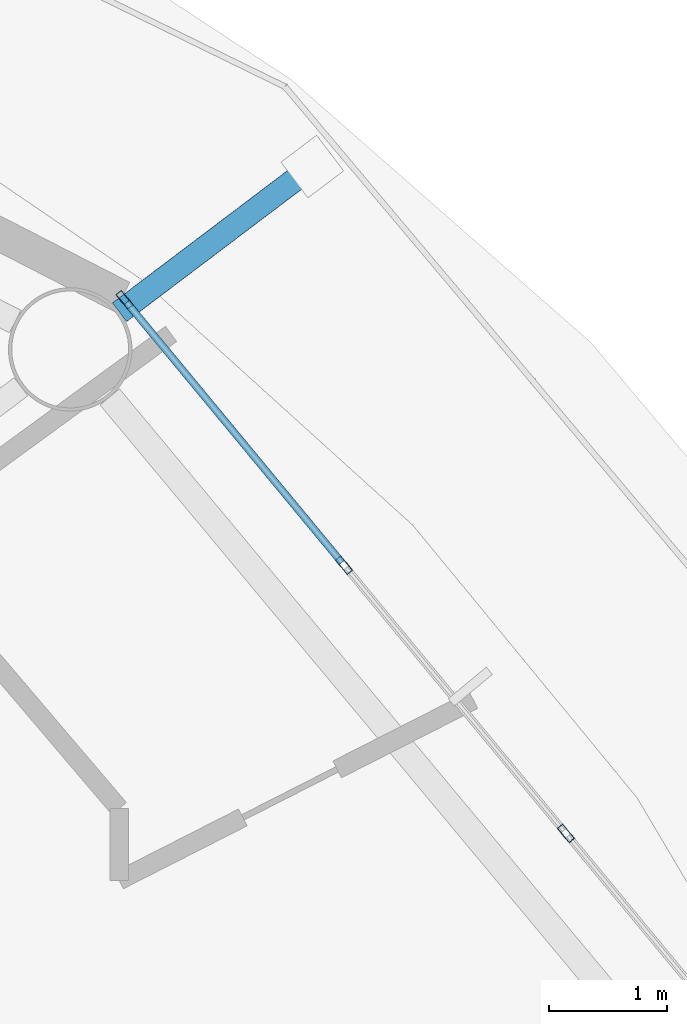
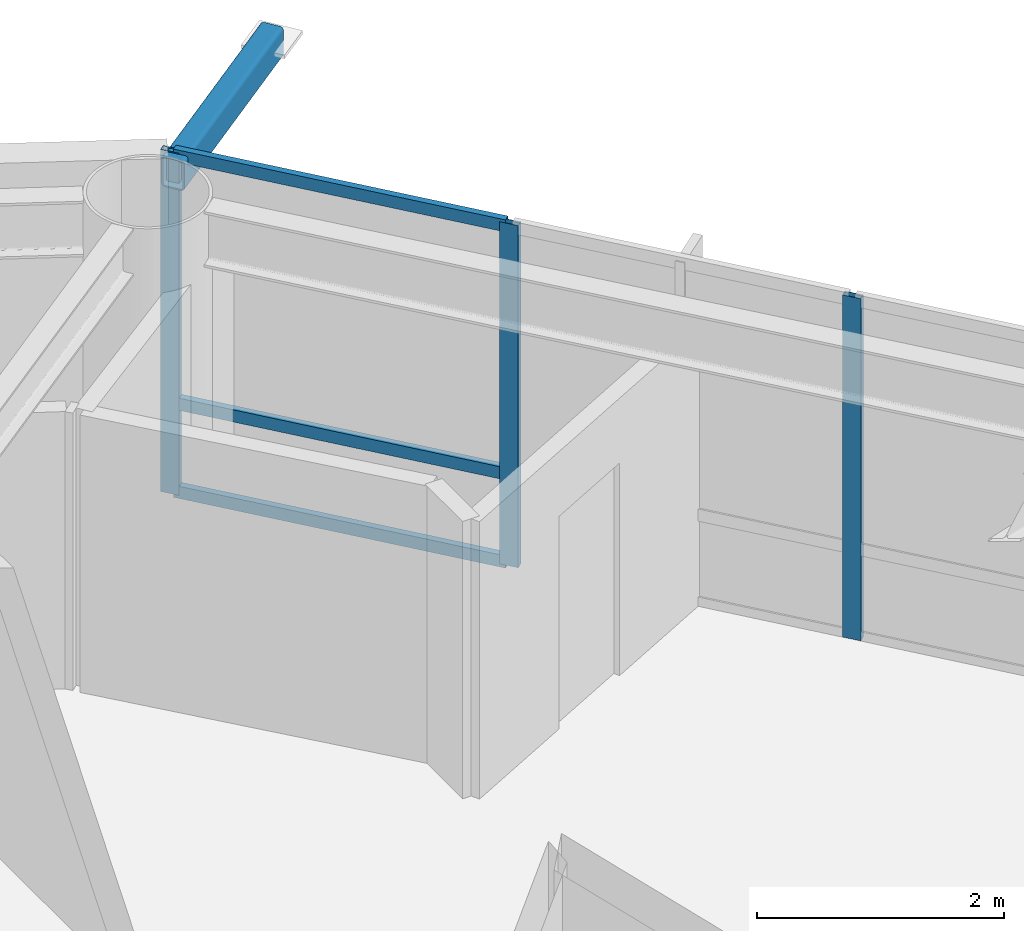
# One storey, part 15 of 30: 7 members, 1 element without a shape of its own.
"""IFC4 building model written with IfcOpenShell, lengths in metres."""

from ifc_helpers import new_model, si_unit, direction, frame, origin, origin_2d, place, context, subcontext, project, spatial, hollow_rectangle, extrude, material, layer, layer_set, material_profile, profile_set, type_object, element, aggregate, save


model = new_model("IFC4")

# Units and contexts
model_context = context("Model", 3, precision=1e-05, world=origin(), true_north=direction((0.0, 1.0)))
body_context = subcontext(model_context, "Body", "Model", "MODEL_VIEW")
ifc_project = project(units=[si_unit("LENGTHUNIT", "METRE"), si_unit("AREAUNIT", "SQUARE_METRE"), si_unit("VOLUMEUNIT", "CUBIC_METRE"), si_unit("PLANEANGLEUNIT", "RADIAN"), si_unit("MASSUNIT", "GRAM", prefix="KILO")], contexts=[model_context])

# Site, building, storey
site_placement = place(None, origin())
site = spatial("IfcSite", under=ifc_project, at=site_placement, CompositionType="ELEMENT")
building_placement = place(site_placement, origin())
building = spatial("IfcBuilding", under=site, at=building_placement, Name="Sarneth Arch Tower", CompositionType="ELEMENT")
storey_placement = place(building_placement, frame((0.0, 0.0, 161.39990234375)))
storey = spatial("IfcBuildingStorey", under=building, at=storey_placement, Name="L40", CompositionType="ELEMENT", Elevation=161.39990234375)

# Curtain wall, members
ifc_material_1 = material(Name="Anodised aluminium Type AA25 and solar-control low-e laminated IGU", Category="aluminium")
ifc_layer = layer(ifc_material_1, 0.169921875)
ifc_layer_set = layer_set([ifc_layer], Name="Anodised aluminium Type AA25 and solar-control low-e laminated IGU")
curtain_wall_type = type_object("IfcCurtainWallType", Name="CW-RES-MID", PredefinedType="NOTDEFINED", material=ifc_layer_set)
curtain_wall_placement = place(storey_placement, origin())
curtain_wall = element("IfcCurtainWall", 1, at=curtain_wall_placement, inside=storey, type_object=curtain_wall_type, Name="L40 Unitised curtain wall facet 02", PredefinedType="NOTDEFINED")
ifc_material_2 = material(Name="Anodised Aluminium 6063-T6", Category="aluminium")
ifc_material_profile_1 = material_profile(ifc_material_2, hollow_rectangle(XDim=0.06005859375, YDim=0.159912109375, WallThickness=0.00390625, at=origin_2d()), Name="AL-MULL-160x60x4")
ifc_profile_set_1 = profile_set([ifc_material_profile_1], Name="Anodised Aluminium 6063-T6")
member_type_1 = type_object("IfcMemberType", Name="CW-MULLION", PredefinedType="MULLION", material=ifc_profile_set_1)
member_1_placement = place(storey_placement, frame((71.346923828125, 52.3466796875, 0.0), z_axis=(0.0, 0.0, 1.0), x_axis=(-0.770590741276, -0.637330298558, 0.0)))
member_1 = element("IfcMember", 2, at=member_1_placement, type_object=member_type_1, Name="CW-SYS-5 mullion 2", PredefinedType="MULLION", context=body_context, shape_type="SweptSolid", body=[
    extrude(hollow_rectangle(XDim=0.06005859375, YDim=0.159912109375, WallThickness=0.00390625, at=origin_2d()), origin(), (0.0, 0.0, 1.0), 3.380126953125),
])
member_2_placement = place(storey_placement, frame((69.46142578125, 54.626220703125, 0.0), z_axis=(0.0, 0.0, 1.0), x_axis=(-0.770590741276, -0.637330298558, 0.0)))
member_2 = element("IfcMember", 3, at=member_2_placement, type_object=member_type_1, Name="CW-SYS-5 mullion 3", PredefinedType="MULLION", context=body_context, shape_type="SweptSolid", body=[
    extrude(hollow_rectangle(XDim=0.06005859375, YDim=0.159912109375, WallThickness=0.00390625, at=origin_2d()), origin(), (0.0, 0.0, 1.0), 3.380126953125),
])
member_3_placement = place(storey_placement, frame((67.59521484375, 56.8828125, 0.0), z_axis=(0.0, 0.0, 1.0), x_axis=(-0.770590741276, -0.637330298558, 0.0)))
member_3 = element("IfcMember", 4, at=member_3_placement, type_object=member_type_1, Name="CW-SYS-5 mullion 4", PredefinedType="MULLION", context=body_context, shape_type="SweptSolid", body=[
    extrude(hollow_rectangle(XDim=0.06005859375, YDim=0.159912109375, WallThickness=0.00390625, at=origin_2d()), origin(), (0.0, 0.0, 1.0), 3.380126953125),
])
ifc_material_3 = material(Name="Anodised Aluminium 6063-T6", Category="aluminium")
ifc_material_profile_2 = material_profile(ifc_material_3, hollow_rectangle(XDim=0.06005859375, YDim=0.1201171875, WallThickness=0.00390625, at=origin_2d()), Name="AL-TRAN-120x60x4")
ifc_profile_set_2 = profile_set([ifc_material_profile_2], Name="Anodised Aluminium 6063-T6")
member_type_2 = type_object("IfcMemberType", Name="CW-TRANSOM", PredefinedType="USERDEFINED", material=ifc_profile_set_2)
member_4_placement = place(storey_placement, frame((69.4423828125, 54.6494140625, 0.030029296875), z_axis=(-0.637358651504, 0.770567290607, 0.0), x_axis=(-0.770567290607, -0.637358651504, 0.0)))
member_4 = element("IfcMember", 5, at=member_4_placement, type_object=member_type_2, Name="CW-SYS-5 transom 3.1", ObjectType="TRANSOM", PredefinedType="USERDEFINED", context=body_context, shape_type="SweptSolid", body=[
    extrude(hollow_rectangle(XDim=0.06005859375, YDim=0.1201171875, WallThickness=0.00390625, at=origin_2d()), origin(), (0.0, 0.0, 1.0), 2.8681640625),
])
member_5_placement = place(storey_placement, frame((69.4423828125, 54.6494140625, 0.900146484375), z_axis=(-0.637358651504, 0.770567290607, 0.0), x_axis=(-0.770567290607, -0.637358651504, 0.0)))
member_5 = element("IfcMember", 6, at=member_5_placement, type_object=member_type_2, Name="CW-SYS-5 transom 3.2", ObjectType="TRANSOM", PredefinedType="USERDEFINED", context=body_context, shape_type="SweptSolid", body=[
    extrude(hollow_rectangle(XDim=0.06005859375, YDim=0.1201171875, WallThickness=0.00390625, at=origin_2d()), origin(), (0.0, 0.0, 1.0), 2.8681640625),
])
member_6_placement = place(storey_placement, frame((69.4423828125, 54.6494140625, 3.35009765625), z_axis=(-0.637358651504, 0.770567290607, 0.0), x_axis=(-0.770567290607, -0.637358651504, 0.0)))
member_6 = element("IfcMember", 7, at=member_6_placement, type_object=member_type_2, Name="CW-SYS-5 transom 3.3", ObjectType="TRANSOM", PredefinedType="USERDEFINED", context=body_context, shape_type="SweptSolid", body=[
    extrude(hollow_rectangle(XDim=0.06005859375, YDim=0.1201171875, WallThickness=0.00390625, at=origin_2d()), origin(), (0.0, 0.0, 1.0), 2.8681640625),
])
aggregate(curtain_wall, [member_1, member_2, member_3, member_4, member_5, member_6])

# Member
ifc_material_4 = material(Name="Steel S355", Category="steel")
ifc_material_profile_3 = material_profile(ifc_material_4, hollow_rectangle(XDim=0.199951171875, YDim=0.300048828125, WallThickness=0.012451171875, InnerFilletRadius=0.018798828125, OuterFilletRadius=0.03125, at=origin_2d()), Name="RHS300x200x12.5")
ifc_profile_set_3 = profile_set([ifc_material_profile_3], Name="Steel S355")
member_type_3 = type_object("IfcMemberType", Name="MEM-CANT-STRUT", PredefinedType="STRUT", material=ifc_profile_set_3)
member_7_placement = place(storey_placement, frame((67.552734375, 56.77685546875, 3.22021484375), z_axis=(0.797755533555, 0.60298101851, 0.0), x_axis=(-0.60298101851, 0.797755533555, 0.0)))
element("IfcMember", 8, at=member_7_placement, inside=storey, type_object=member_type_3, Name="L40 Balcony cantilever bracket 03", PredefinedType="STRUT", context=body_context, shape_type="SweptSolid", body=[
    extrude(hollow_rectangle(XDim=0.199951171875, YDim=0.300048828125, WallThickness=0.012451171875, InnerFilletRadius=0.018798828125, OuterFilletRadius=0.03125, at=origin_2d()), origin(), (0.0, 0.0, 1.0), 2.054443359375),
])

save(model, "model.ifc")
